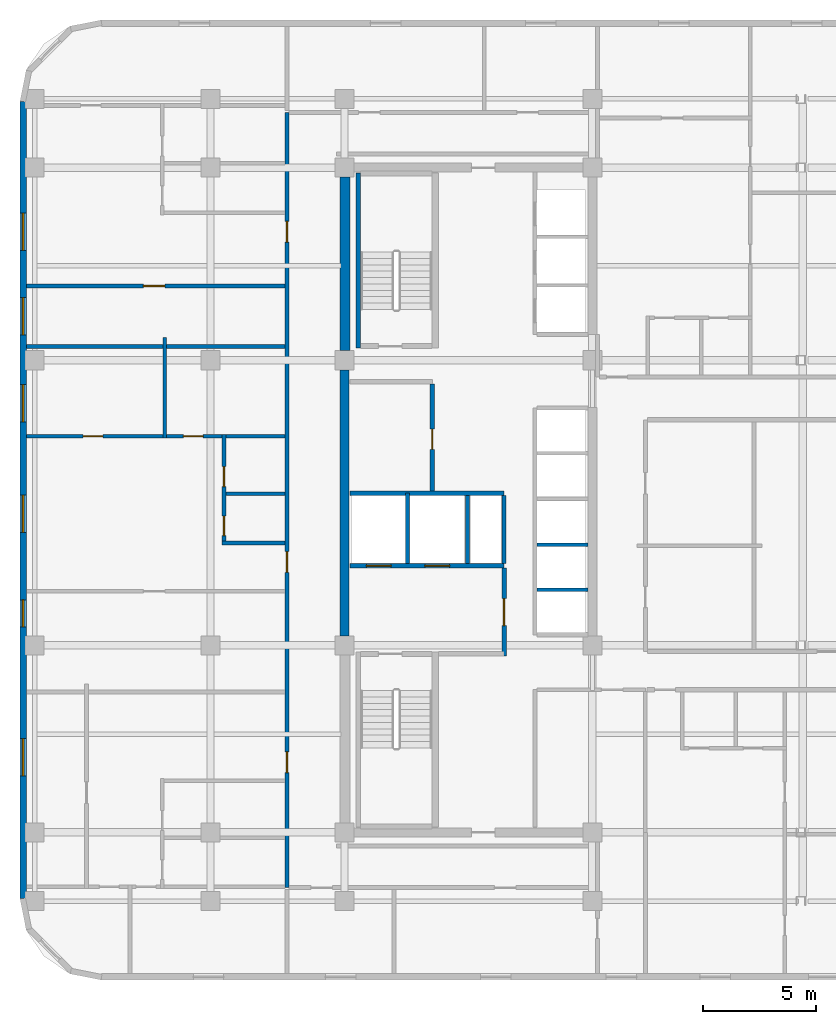
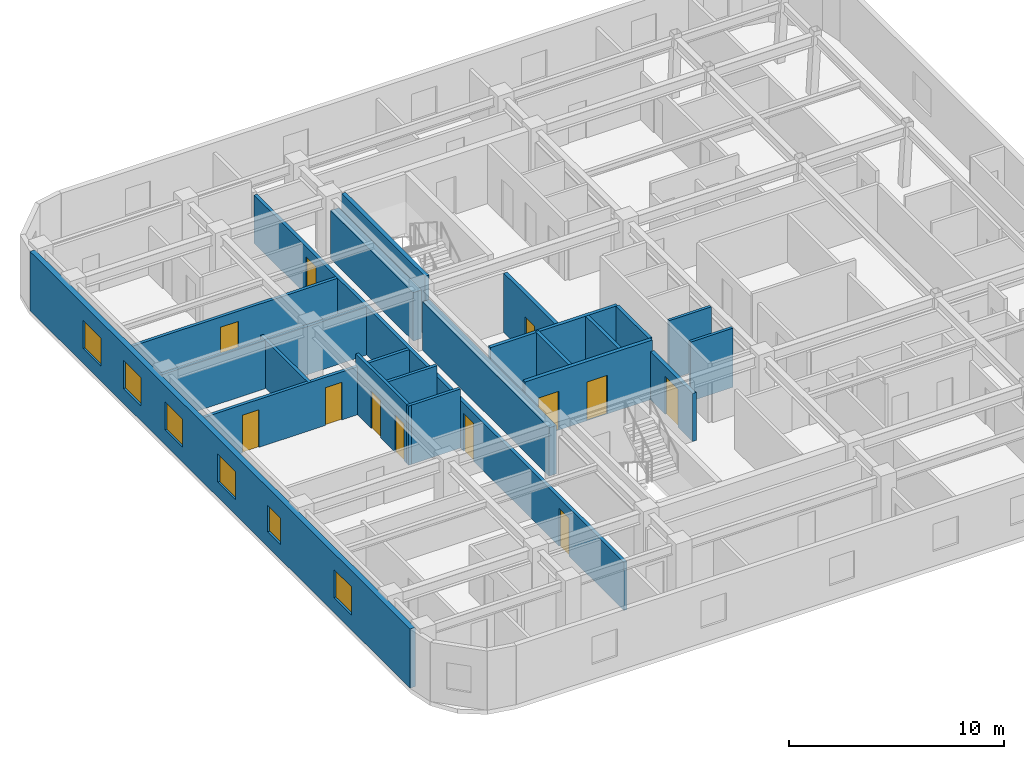
# One storey, part 4 of 8: 21 walls, 12 doors, 6 windows, 18 openings.
"""IFC4 building model written with IfcOpenShell, lengths in metres."""

from ifc_helpers import new_model, si_unit, direction, frame, frame_2d, origin, place, context, subcontext, project, spatial, rectangle, extrude, material, layer, layer_set, type_object, element, fill, save


model = new_model("IFC4")

# Units and contexts
model_context = context("Model", 3, precision=1e-05, world=origin(), true_north=direction((0.0, 1.0)))
body_context = subcontext(model_context, "Body", "Model", "MODEL_VIEW")
ifc_project = project(units=[si_unit("LENGTHUNIT", "METRE"), si_unit("AREAUNIT", "SQUARE_METRE"), si_unit("VOLUMEUNIT", "CUBIC_METRE"), si_unit("PLANEANGLEUNIT", "RADIAN"), si_unit("MASSUNIT", "GRAM", prefix="KILO")], contexts=[model_context])

# Site, building, storey
site_placement = place(None, origin())
site = spatial("IfcSite", under=ifc_project, at=site_placement, CompositionType="ELEMENT")
building_placement = place(site_placement, origin())
building = spatial("IfcBuilding", under=site, at=building_placement, Name="Ochreholt Gables", CompositionType="ELEMENT")
storey_placement = place(building_placement, frame((0.0, 0.0, 128.39990234375)))
storey = spatial("IfcBuildingStorey", under=building, at=storey_placement, Name="L33", CompositionType="ELEMENT", Elevation=128.39990234375)

# Walls
ifc_material_1 = material(Name="Concrete 60 MPa", Category="concrete")
ifc_layer_1 = layer(ifc_material_1, 0.39990234375, Name="Concrete 60 MPa")
ifc_layer_set_1 = layer_set([ifc_layer_1], Name="Concrete 60 MPa")
wall_type_1 = type_object("IfcWallType", Name="WALL-CSW-400", PredefinedType="SHEAR", material=ifc_layer_set_1)
wall_1_placement = place(storey_placement, frame((24.199951171875, 17.97509765625, 0.0), z_axis=(0.0, 0.0, 1.0), x_axis=(0.0, 1.0, 0.0)))
element("IfcWall", 1, at=wall_1_placement, inside=storey, type_object=wall_type_1, Name="L33 Core West Shear Wall WM", PredefinedType="SHEAR", context=body_context, shape_type="SweptSolid", body=[
    extrude(rectangle(XDim=11.7998046875, YDim=0.39990234375, at=frame_2d((5.89990234375, 0.0))), origin(), (0.0, 0.0, 1.0), 2.7490234375),
])
ifc_layer_2 = layer(ifc_material_1, 0.449951171875, Name="Concrete 60 MPa")
ifc_layer_set_2 = layer_set([ifc_layer_2], Name="Concrete 60 MPa")
wall_type_2 = type_object("IfcWallType", Name="WALL-CSW-450", PredefinedType="SHEAR", material=ifc_layer_set_2)
wall_2_placement = place(storey_placement, frame((24.22509765625, 30.625, 0.0), z_axis=(0.0, 0.0, 1.0), x_axis=(0.0, 1.0, 0.0)))
element("IfcWall", 2, at=wall_2_placement, inside=storey, type_object=wall_type_2, Name="L33 Core West Shear Wall WN", PredefinedType="SHEAR", context=body_context, shape_type="SweptSolid", body=[
    extrude(rectangle(XDim=7.699951171875, YDim=0.449951171875, at=frame_2d((3.85009765625, 0.0))), origin(), (0.0, 0.0, 1.0), 2.7490234375),
])

# Wall, openings, windows
ifc_material_2 = material(Name="Precast concrete 40 MPa", Category="concrete")
ifc_layer_3 = layer(ifc_material_2, 0.280029296875, Name="Precast concrete 40 MPa")
ifc_layer_set_3 = layer_set([ifc_layer_3], Name="Precast concrete 40 MPa")
wall_type_3 = type_object("IfcWallType", Name="WALL-EXT-280", PredefinedType="SOLIDWALL", material=ifc_layer_set_3)
wall_3_placement = place(storey_placement, frame((9.93994140625, 41.679931640625, 0.0), z_axis=(0.0, 0.0, 1.0), x_axis=(0.0, -1.0, 0.0)))
wall_3 = element("IfcWall", 3, at=wall_3_placement, inside=storey, type_object=wall_type_3, Name="L33 West Exterior Wall", PredefinedType="SOLIDWALL", context=body_context, shape_type="SweptSolid", body=[
    extrude(rectangle(XDim=35.35986328125, YDim=0.280029296875, at=frame_2d((17.679931640625, 0.0))), origin(), (0.0, 0.0, 1.0), 3.360107421875),
])
opening_1_placement = place(wall_3_placement, frame((28.27001953125, 0.0, 0.85009765625)))
opening_1 = element("IfcOpeningElement", 4, at=opening_1_placement, cuts=wall_3, Name="Opening WN-7", PredefinedType="OPENING", context=body_context, shape_type="SweptSolid", body=[
    extrude(rectangle(XDim=1.64990234375, YDim=1.60009765625, at=frame_2d((0.824951171875, 0.800048828125))), frame((0.0, 0.14990234375, 0.0), z_axis=(0.0, -1.0, 0.0), x_axis=(1.0, 0.0, 0.0)), (0.0, 0.0, 1.0), 0.300048828125),
])
opening_2_placement = place(wall_3_placement, frame((22.111572265625, 0.0, 0.85009765625)))
opening_2 = element("IfcOpeningElement", 5, at=opening_2_placement, cuts=wall_3, Name="Opening WN-3", PredefinedType="OPENING", context=body_context, shape_type="SweptSolid", body=[
    extrude(rectangle(XDim=1.199951171875, YDim=1.5, at=frame_2d((0.60009765625, 0.75))), frame((0.0, 0.14990234375, 0.0), z_axis=(0.0, -1.0, 0.0), x_axis=(1.0, 0.0, 0.0)), (0.0, 0.0, 1.0), 0.300048828125),
])
opening_3_placement = place(wall_3_placement, frame((17.46875, 0.0, 0.85009765625)))
opening_3 = element("IfcOpeningElement", 6, at=opening_3_placement, cuts=wall_3, Name="Opening WN-7", PredefinedType="OPENING", context=body_context, shape_type="SweptSolid", body=[
    extrude(rectangle(XDim=1.64990234375, YDim=1.60009765625, at=frame_2d((0.824951171875, 0.800048828125))), frame((0.0, 0.14990234375, 0.0), z_axis=(0.0, -1.0, 0.0), x_axis=(1.0, 0.0, 0.0)), (0.0, 0.0, 1.0), 0.300048828125),
])
opening_4_placement = place(wall_3_placement, frame((12.56201171875, 0.0, 0.85009765625)))
opening_4 = element("IfcOpeningElement", 7, at=opening_4_placement, cuts=wall_3, Name="Opening WN-7", PredefinedType="OPENING", context=body_context, shape_type="SweptSolid", body=[
    extrude(rectangle(XDim=1.64990234375, YDim=1.60009765625, at=frame_2d((0.824951171875, 0.800048828125))), frame((0.0, 0.14990234375, 0.0), z_axis=(0.0, -1.0, 0.0), x_axis=(1.0, 0.0, 0.0)), (0.0, 0.0, 1.0), 0.300048828125),
])
opening_5_placement = place(wall_3_placement, frame((8.697509765625, 0.0, 0.85009765625)))
opening_5 = element("IfcOpeningElement", 8, at=opening_5_placement, cuts=wall_3, Name="Opening WN-7", PredefinedType="OPENING", context=body_context, shape_type="SweptSolid", body=[
    extrude(rectangle(XDim=1.64990234375, YDim=1.60009765625, at=frame_2d((0.824951171875, 0.800048828125))), frame((0.0, 0.14990234375, 0.0), z_axis=(0.0, -1.0, 0.0), x_axis=(1.0, 0.0, 0.0)), (0.0, 0.0, 1.0), 0.300048828125),
])
opening_6_placement = place(wall_3_placement, frame((4.950439453125, 0.0, 0.85009765625)))
opening_6 = element("IfcOpeningElement", 9, at=opening_6_placement, cuts=wall_3, Name="Opening WN-7", PredefinedType="OPENING", context=body_context, shape_type="SweptSolid", body=[
    extrude(rectangle(XDim=1.64990234375, YDim=1.60009765625, at=frame_2d((0.824951171875, 0.800048828125))), frame((0.0, 0.14990234375, 0.0), z_axis=(0.0, -1.0, 0.0), x_axis=(1.0, 0.0, 0.0)), (0.0, 0.0, 1.0), 0.300048828125),
])
ifc_material_3 = material(Name="Triple-Glazed Thermally Broken Aluminium Window", Category="aluminium")
window_type_1 = type_object("IfcWindowType", Name="WIN-RES-1200", PartitioningType="SINGLE_PANEL", PredefinedType="WINDOW", material=ifc_material_3)
window_1_placement = place(opening_2_placement, origin())
window_1 = element("IfcWindow", 10, at=window_1_placement, inside=storey, type_object=window_type_1, Name="L33 Window W-EXT-W-L33-2", OverallHeight=1.5, OverallWidth=1.199951171875, PartitioningType="SINGLE_PANEL", PredefinedType="WINDOW", context=body_context, shape_type="SweptSolid", body=[
    extrude(rectangle(XDim=1.199951171875, YDim=1.5, at=frame_2d((0.60009765625, 0.75))), frame((0.0, 0.030029296875, 0.0), z_axis=(0.0, -1.0, 0.0), x_axis=(1.0, 0.0, 0.0)), (0.0, 0.0, 1.0), 0.06005859375),
])
fill(opening_2, window_1)
window_type_2 = type_object("IfcWindowType", Name="WIN-RES-1650", PartitioningType="SINGLE_PANEL", PredefinedType="WINDOW", material=ifc_material_3)
window_2_placement = place(opening_1_placement, origin())
window_2 = element("IfcWindow", 11, at=window_2_placement, inside=storey, type_object=window_type_2, Name="L33 Window W-EXT-W-L33-1", OverallHeight=1.60009765625, OverallWidth=1.64990234375, PartitioningType="SINGLE_PANEL", PredefinedType="WINDOW", context=body_context, shape_type="SweptSolid", body=[
    extrude(rectangle(XDim=1.64990234375, YDim=1.60009765625, at=frame_2d((0.824951171875, 0.800048828125))), frame((0.0, 0.030029296875, 0.0), z_axis=(0.0, -1.0, 0.0), x_axis=(1.0, 0.0, 0.0)), (0.0, 0.0, 1.0), 0.06005859375),
])
fill(opening_1, window_2)
window_3_placement = place(opening_3_placement, origin())
window_3 = element("IfcWindow", 12, at=window_3_placement, inside=storey, type_object=window_type_2, Name="L33 Window W-EXT-W-L33-3", OverallHeight=1.60009765625, OverallWidth=1.64990234375, PartitioningType="SINGLE_PANEL", PredefinedType="WINDOW", context=body_context, shape_type="SweptSolid", body=[
    extrude(rectangle(XDim=1.64990234375, YDim=1.60009765625, at=frame_2d((0.824951171875, 0.800048828125))), frame((0.0, 0.030029296875, 0.0), z_axis=(0.0, -1.0, 0.0), x_axis=(1.0, 0.0, 0.0)), (0.0, 0.0, 1.0), 0.06005859375),
])
fill(opening_3, window_3)
window_4_placement = place(opening_4_placement, origin())
window_4 = element("IfcWindow", 13, at=window_4_placement, inside=storey, type_object=window_type_2, Name="L33 Window W-EXT-W-L33-4", OverallHeight=1.60009765625, OverallWidth=1.64990234375, PartitioningType="SINGLE_PANEL", PredefinedType="WINDOW", context=body_context, shape_type="SweptSolid", body=[
    extrude(rectangle(XDim=1.64990234375, YDim=1.60009765625, at=frame_2d((0.824951171875, 0.800048828125))), frame((0.0, 0.030029296875, 0.0), z_axis=(0.0, -1.0, 0.0), x_axis=(1.0, 0.0, 0.0)), (0.0, 0.0, 1.0), 0.06005859375),
])
fill(opening_4, window_4)
window_5_placement = place(opening_5_placement, origin())
window_5 = element("IfcWindow", 14, at=window_5_placement, inside=storey, type_object=window_type_2, Name="L33 Window W-EXT-W-L33-5", OverallHeight=1.60009765625, OverallWidth=1.64990234375, PartitioningType="SINGLE_PANEL", PredefinedType="WINDOW", context=body_context, shape_type="SweptSolid", body=[
    extrude(rectangle(XDim=1.64990234375, YDim=1.60009765625, at=frame_2d((0.824951171875, 0.800048828125))), frame((0.0, 0.030029296875, 0.0), z_axis=(0.0, -1.0, 0.0), x_axis=(1.0, 0.0, 0.0)), (0.0, 0.0, 1.0), 0.06005859375),
])
fill(opening_5, window_5)
window_6_placement = place(opening_6_placement, origin())
window_6 = element("IfcWindow", 15, at=window_6_placement, inside=storey, type_object=window_type_2, Name="L33 Window W-EXT-W-L33-6", OverallHeight=1.60009765625, OverallWidth=1.64990234375, PartitioningType="SINGLE_PANEL", PredefinedType="WINDOW", context=body_context, shape_type="SweptSolid", body=[
    extrude(rectangle(XDim=1.64990234375, YDim=1.60009765625, at=frame_2d((0.824951171875, 0.800048828125))), frame((0.0, 0.030029296875, 0.0), z_axis=(0.0, -1.0, 0.0), x_axis=(1.0, 0.0, 0.0)), (0.0, 0.0, 1.0), 0.06005859375),
])
fill(opening_6, window_6)

# Wall, openings, doors
ifc_material_4 = material(Name="Concrete 40 MPa", Category="concrete")
ifc_layer_4 = layer(ifc_material_4, 0.199951171875, Name="Concrete 40 MPa")
ifc_layer_set_4 = layer_set([ifc_layer_4], Name="Concrete 40 MPa")
wall_type_4 = type_object("IfcWallType", Name="WALL-INT-CF200", PredefinedType="STANDARD", material=ifc_layer_set_4)
wall_4_placement = place(storey_placement, frame((24.449951171875, 21.090087890625, 0.0), z_axis=(0.0, 0.0, 1.0), x_axis=(1.0, 0.0, 0.0)))
wall_4 = element("IfcWall", 16, at=wall_4_placement, inside=storey, type_object=wall_type_4, Name="L33 Interior Wall WI-FFN-L33", PredefinedType="STANDARD", context=body_context, shape_type="SweptSolid", body=[
    extrude(rectangle(XDim=6.830078125, YDim=0.199951171875, at=frame_2d((3.4150390625, 0.0))), origin(), (0.0, 0.0, 1.0), 3.360107421875),
])
opening_7_placement = place(wall_4_placement, frame((0.719970703125, 0.0, 0.0)))
opening_7 = element("IfcOpeningElement", 17, at=opening_7_placement, cuts=wall_4, Name="Opening LD-FF", PredefinedType="OPENING", context=body_context, shape_type="SweptSolid", body=[
    extrude(rectangle(XDim=1.10009765625, YDim=2.199951171875, at=frame_2d((0.550048828125, 1.10009765625))), frame((0.0, 0.10986328125, 0.0), z_axis=(0.0, -1.0, 0.0), x_axis=(1.0, 0.0, 0.0)), (0.0, 0.0, 1.0), 0.219970703125),
])
opening_8_placement = place(wall_4_placement, frame((3.320068359375, 0.0, 0.0)))
opening_8 = element("IfcOpeningElement", 18, at=opening_8_placement, cuts=wall_4, Name="Opening LD-FF", PredefinedType="OPENING", context=body_context, shape_type="SweptSolid", body=[
    extrude(rectangle(XDim=1.10009765625, YDim=2.199951171875, at=frame_2d((0.550048828125, 1.10009765625))), frame((0.0, 0.10986328125, 0.0), z_axis=(0.0, -1.0, 0.0), x_axis=(1.0, 0.0, 0.0)), (0.0, 0.0, 1.0), 0.219970703125),
])
ifc_material_5 = material(Name="Stainless Steel", Category="steel")
door_type_1 = type_object("IfcDoorType", Name="DR-LFT-FF1100", OperationType="NOTDEFINED", PredefinedType="DOOR", material=ifc_material_5)
door_1_placement = place(opening_7_placement, origin())
door_1 = element("IfcDoor", 19, at=door_1_placement, inside=storey, type_object=door_type_1, Name="L33 Door LD-FF1-L33", OperationType="SLIDING_TO_LEFT", OverallHeight=2.199951171875, OverallWidth=1.10009765625, PredefinedType="DOOR", context=body_context, shape_type="SweptSolid", body=[
    extrude(rectangle(XDim=1.10009765625, YDim=2.199951171875, at=frame_2d((0.550048828125, 1.10009765625))), frame((0.0, 0.02490234375, 0.0), z_axis=(0.0, -1.0, 0.0), x_axis=(1.0, 0.0, 0.0)), (0.0, 0.0, 1.0), 0.050048828125),
])
fill(opening_7, door_1)
door_2_placement = place(opening_8_placement, origin())
door_2 = element("IfcDoor", 20, at=door_2_placement, inside=storey, type_object=door_type_1, Name="L33 Door LD-FF2-L33", OperationType="SLIDING_TO_LEFT", OverallHeight=2.199951171875, OverallWidth=1.10009765625, PredefinedType="DOOR", context=body_context, shape_type="SweptSolid", body=[
    extrude(rectangle(XDim=1.10009765625, YDim=2.199951171875, at=frame_2d((0.550048828125, 1.10009765625))), frame((0.0, 0.02490234375, 0.0), z_axis=(0.0, -1.0, 0.0), x_axis=(1.0, 0.0, 0.0)), (0.0, 0.0, 1.0), 0.050048828125),
])
fill(opening_8, door_2)

# Wall, opening, door
wall_5_placement = place(storey_placement, frame((31.280029296875, 17.070068359375, 0.0), z_axis=(0.0, 0.0, 1.0), x_axis=(0.0, 1.0, 0.0)))
wall_5 = element("IfcWall", 21, at=wall_5_placement, inside=storey, type_object=wall_type_4, Name="L33 Interior Wall WI-FFE-L33", PredefinedType="STANDARD", context=body_context, shape_type="SweptSolid", body=[
    extrude(rectangle(XDim=3.919921875, YDim=0.199951171875, at=frame_2d((1.9599609375, 0.0))), origin(), (0.0, 0.0, 1.0), 2.731201171875),
])
opening_9_placement = place(wall_5_placement, frame((1.35009765625, 0.0, 0.0)))
opening_9 = element("IfcOpeningElement", 22, at=opening_9_placement, cuts=wall_5, Name="Opening D-FFL", PredefinedType="OPENING", context=body_context, shape_type="SweptSolid", body=[
    extrude(rectangle(XDim=1.199951171875, YDim=2.14990234375, at=frame_2d((0.60009765625, 1.074951171875))), frame((0.0, 0.10986328125, 0.0), z_axis=(0.0, -1.0, 0.0), x_axis=(1.0, 0.0, 0.0)), (0.0, 0.0, 1.0), 0.219970703125),
])
ifc_material_6 = material(Name="Hollow Metal Steel", Category="steel")
door_type_2 = type_object("IfcDoorType", Name="DR-INT-FFL1200", OperationType="NOTDEFINED", PredefinedType="DOOR", material=ifc_material_6)
door_3_placement = place(opening_9_placement, origin())
door_3 = element("IfcDoor", 23, at=door_3_placement, inside=storey, type_object=door_type_2, Name="L33 Door D-FFL-L33", OperationType="SINGLE_SWING_LEFT", OverallHeight=2.14990234375, OverallWidth=1.199951171875, PredefinedType="DOOR", context=body_context, shape_type="SweptSolid", body=[
    extrude(rectangle(XDim=1.199951171875, YDim=2.14990234375, at=frame_2d((0.60009765625, 1.074951171875))), frame((0.0, 0.02490234375, 0.0), z_axis=(0.0, -1.0, 0.0), x_axis=(1.0, 0.0, 0.0)), (0.0, 0.0, 1.0), 0.050048828125),
])
fill(opening_9, door_3)

wall_6_placement = place(storey_placement, frame((28.10009765625, 24.389892578125, 0.0), z_axis=(0.0, 0.0, 1.0), x_axis=(0.0, 1.0, 0.0)))
wall_6 = element("IfcWall", 24, at=wall_6_placement, inside=storey, type_object=wall_type_4, Name="L33 Interior Wall WI-SRVE-L33", PredefinedType="STANDARD", context=body_context, shape_type="SweptSolid", body=[
    extrude(rectangle(XDim=4.75, YDim=0.199951171875, at=frame_2d((2.375, 0.0))), origin(), (0.0, 0.0, 1.0), 3.360107421875),
])
opening_10_placement = place(wall_6_placement, frame((1.860107421875, 0.0, 0.0)))
opening_10 = element("IfcOpeningElement", 25, at=opening_10_placement, cuts=wall_6, Name="Opening D-SV1", PredefinedType="OPENING", context=body_context, shape_type="SweptSolid", body=[
    extrude(rectangle(XDim=0.89990234375, YDim=2.10009765625, at=frame_2d((0.449951171875, 1.050048828125))), frame((0.0, 0.10986328125, 0.0), z_axis=(0.0, -1.0, 0.0), x_axis=(1.0, 0.0, 0.0)), (0.0, 0.0, 1.0), 0.219970703125),
])
door_type_3 = type_object("IfcDoorType", Name="DR-INT-SRV900", OperationType="NOTDEFINED", PredefinedType="DOOR", material=ifc_material_6)
door_4_placement = place(opening_10_placement, origin())
door_4 = element("IfcDoor", 26, at=door_4_placement, inside=storey, type_object=door_type_3, Name="L33 Door D-SRV1-L33", OperationType="SINGLE_SWING_LEFT", OverallHeight=2.10009765625, OverallWidth=0.89990234375, PredefinedType="DOOR", context=body_context, shape_type="SweptSolid", body=[
    extrude(rectangle(XDim=0.89990234375, YDim=2.10009765625, at=frame_2d((0.449951171875, 1.050048828125))), frame((0.0, 0.02490234375, 0.0), z_axis=(0.0, -1.0, 0.0), x_axis=(1.0, 0.0, 0.0)), (0.0, 0.0, 1.0), 0.050048828125),
])
fill(opening_10, door_4)

# Wall, openings, doors
ifc_material_7 = material(Name="Fire-Rated Gypsum Acoustic Partition", Category="gypsum")
ifc_layer_5 = layer(ifc_material_7, 0.179931640625, Name="Fire-Rated Gypsum Acoustic Partition")
ifc_layer_set_5 = layer_set([ifc_layer_5], Name="Fire-Rated Gypsum Acoustic Partition")
wall_type_5 = type_object("IfcWallType", Name="WALL-INT-CR180", PredefinedType="STANDARD", material=ifc_layer_set_5)
wall_7_placement = place(storey_placement, frame((21.64990234375, 6.800048828125, 0.0), z_axis=(0.0, 0.0, 1.0), x_axis=(0.0, 1.0, 0.0)))
wall_7 = element("IfcWall", 27, at=wall_7_placement, inside=storey, type_object=wall_type_5, Name="L33 Interior Wall WI-C2WCW-L33", PredefinedType="STANDARD", context=body_context, shape_type="SweptSolid", body=[
    extrude(rectangle(XDim=34.39990234375, YDim=0.179931640625, at=frame_2d((17.199951171875, 0.0))), origin(), (0.0, 0.0, 1.0), 2.731201171875),
])
opening_11_placement = place(wall_7_placement, frame((5.10693359375, 0.0, 0.0)))
opening_11 = element("IfcOpeningElement", 28, at=opening_11_placement, cuts=wall_7, Name="Opening D-UN1", PredefinedType="OPENING", context=body_context, shape_type="SweptSolid", body=[
    extrude(rectangle(XDim=0.919921875, YDim=2.14990234375, at=frame_2d((0.4599609375, 1.074951171875))), frame((0.0, 0.099853515625, 0.0), z_axis=(0.0, -1.0, 0.0), x_axis=(1.0, 0.0, 0.0)), (0.0, 0.0, 1.0), 0.199951171875),
])
opening_12_placement = place(wall_7_placement, frame((13.990478515625, 0.0, 0.0)))
opening_12 = element("IfcOpeningElement", 29, at=opening_12_placement, cuts=wall_7, Name="Opening D-UN1", PredefinedType="OPENING", context=body_context, shape_type="SweptSolid", body=[
    extrude(rectangle(XDim=0.919921875, YDim=2.14990234375, at=frame_2d((0.4599609375, 1.074951171875))), frame((0.0, 0.099853515625, 0.0), z_axis=(0.0, -1.0, 0.0), x_axis=(1.0, 0.0, 0.0)), (0.0, 0.0, 1.0), 0.199951171875),
])
opening_13_placement = place(wall_7_placement, frame((28.64599609375, 0.0, 0.0)))
opening_13 = element("IfcOpeningElement", 30, at=opening_13_placement, cuts=wall_7, Name="Opening D-UN1", PredefinedType="OPENING", context=body_context, shape_type="SweptSolid", body=[
    extrude(rectangle(XDim=0.919921875, YDim=2.14990234375, at=frame_2d((0.4599609375, 1.074951171875))), frame((0.0, 0.099853515625, 0.0), z_axis=(0.0, -1.0, 0.0), x_axis=(1.0, 0.0, 0.0)), (0.0, 0.0, 1.0), 0.199951171875),
])
ifc_material_8 = material(Name="Engineered Oak Timber", Category="wood")
door_type_4 = type_object("IfcDoorType", Name="DR-INT-UNT920", OperationType="NOTDEFINED", PredefinedType="DOOR", material=ifc_material_8)
door_5_placement = place(opening_11_placement, origin())
door_5 = element("IfcDoor", 31, at=door_5_placement, inside=storey, type_object=door_type_4, Name="L33 Door D-U-L33W1-ENT", OperationType="SINGLE_SWING_RIGHT", OverallHeight=2.14990234375, OverallWidth=0.919921875, PredefinedType="DOOR", context=body_context, shape_type="SweptSolid", body=[
    extrude(rectangle(XDim=0.919921875, YDim=2.14990234375, at=frame_2d((0.4599609375, 1.074951171875))), frame((0.0, 0.02490234375, 0.0), z_axis=(0.0, -1.0, 0.0), x_axis=(1.0, 0.0, 0.0)), (0.0, 0.0, 1.0), 0.050048828125),
])
fill(opening_11, door_5)
door_6_placement = place(opening_12_placement, origin())
door_6 = element("IfcDoor", 32, at=door_6_placement, inside=storey, type_object=door_type_4, Name="L33 Door D-U-L33W2-ENT", OperationType="SINGLE_SWING_LEFT", OverallHeight=2.14990234375, OverallWidth=0.919921875, PredefinedType="DOOR", context=body_context, shape_type="SweptSolid", body=[
    extrude(rectangle(XDim=0.919921875, YDim=2.14990234375, at=frame_2d((0.4599609375, 1.074951171875))), frame((0.0, 0.02490234375, 0.0), z_axis=(0.0, -1.0, 0.0), x_axis=(1.0, 0.0, 0.0)), (0.0, 0.0, 1.0), 0.050048828125),
])
fill(opening_12, door_6)
door_7_placement = place(opening_13_placement, origin())
door_7 = element("IfcDoor", 33, at=door_7_placement, inside=storey, type_object=door_type_4, Name="L33 Door D-U-L33W3-ENT", OperationType="SINGLE_SWING_RIGHT", OverallHeight=2.14990234375, OverallWidth=0.919921875, PredefinedType="DOOR", context=body_context, shape_type="SweptSolid", body=[
    extrude(rectangle(XDim=0.919921875, YDim=2.14990234375, at=frame_2d((0.4599609375, 1.074951171875))), frame((0.0, 0.02490234375, 0.0), z_axis=(0.0, -1.0, 0.0), x_axis=(1.0, 0.0, 0.0)), (0.0, 0.0, 1.0), 0.050048828125),
])
fill(opening_13, door_7)

# Walls
ifc_material_9 = material(Name="Double-Stud Acoustic Demising Wall", Category="gypsum")
ifc_layer_6 = layer(ifc_material_9, 0.179931640625, Name="Double-Stud Acoustic Demising Wall")
ifc_layer_set_6 = layer_set([ifc_layer_6], Name="Double-Stud Acoustic Demising Wall")
wall_type_6 = type_object("IfcWallType", Name="WALL-INT-DM180", PredefinedType="PARTITIONING", material=ifc_layer_set_6)
wall_8_placement = place(storey_placement, frame((10.080078125, 30.81591796875, 0.0), z_axis=(0.0, 0.0, 1.0), x_axis=(1.0, 0.0, 0.0)))
element("IfcWall", 34, at=wall_8_placement, inside=storey, type_object=wall_type_6, Name="L33 Interior Wall WI-C2UDW3-L33", PredefinedType="PARTITIONING", context=body_context, shape_type="SweptSolid", body=[
    extrude(rectangle(XDim=11.47998046875, YDim=0.179931640625, at=frame_2d((5.739990234375, 0.0))), origin(), (0.0, 0.0, 1.0), 2.731201171875),
])
ifc_material_10 = material(Name="Moisture-Resistant Plumbing Chase Wall", Category="gypsum")
ifc_layer_7 = layer(ifc_material_10, 0.159912109375, Name="Moisture-Resistant Plumbing Chase Wall")
ifc_layer_set_7 = layer_set([ifc_layer_7], Name="Moisture-Resistant Plumbing Chase Wall")
wall_type_7 = type_object("IfcWallType", Name="WALL-INT-PL160", PredefinedType="PLUMBINGWALL", material=ifc_layer_set_7)
wall_9_placement = place(storey_placement, frame((18.77197265625, 22.090576171875, 0.0), z_axis=(0.0, 0.0, 1.0), x_axis=(1.0, 0.0, 0.0)))
element("IfcWall", 35, at=wall_9_placement, inside=storey, type_object=wall_type_7, Name="L33 Interior Wall WU-L33W2-FYS", PredefinedType="PLUMBINGWALL", context=body_context, shape_type="SweptSolid", body=[
    extrude(rectangle(XDim=2.7880859375, YDim=0.159912109375, at=frame_2d((1.39404296875, 0.0))), origin(), (0.0, 0.0, 1.0), 3.360107421875),
])

# Wall, openings, doors
wall_10_placement = place(storey_placement, frame((18.85205078125, 22.00048828125, 0.0), z_axis=(0.0, 0.0, 1.0), x_axis=(0.0, 1.0, 0.0)))
wall_10 = element("IfcWall", 36, at=wall_10_placement, inside=storey, type_object=wall_type_7, Name="L33 Interior Wall WU-L33W2-WX", PredefinedType="PLUMBINGWALL", context=body_context, shape_type="SweptSolid", body=[
    extrude(rectangle(XDim=4.91552734375, YDim=0.159912109375, at=frame_2d((2.457763671875, 0.0))), origin(), (0.0, 0.0, 1.0), 3.360107421875),
])
opening_14_placement = place(wall_10_placement, frame((0.419921875, 0.0, 0.0)))
opening_14 = element("IfcOpeningElement", 37, at=opening_14_placement, cuts=wall_10, Name="Opening D-BT1", PredefinedType="OPENING", context=body_context, shape_type="SweptSolid", body=[
    extrude(rectangle(XDim=0.860107421875, YDim=2.1201171875, at=frame_2d((0.43017578125, 1.06005859375))), frame((0.0, 0.08984375, 0.0), z_axis=(0.0, -1.0, 0.0), x_axis=(1.0, 0.0, 0.0)), (0.0, 0.0, 1.0), 0.179931640625),
])
opening_15_placement = place(wall_10_placement, frame((2.598388671875, 0.0, 0.0)))
opening_15 = element("IfcOpeningElement", 38, at=opening_15_placement, cuts=wall_10, Name="Opening D-GN2", PredefinedType="OPENING", context=body_context, shape_type="SweptSolid", body=[
    extrude(rectangle(XDim=0.8798828125, YDim=2.1201171875, at=frame_2d((0.43994140625, 1.06005859375))), frame((0.0, 0.08984375, 0.0), z_axis=(0.0, -1.0, 0.0), x_axis=(1.0, 0.0, 0.0)), (0.0, 0.0, 1.0), 0.179931640625),
])
door_type_5 = type_object("IfcDoorType", Name="DR-INT-BTH860", OperationType="NOTDEFINED", PredefinedType="DOOR", material=ifc_material_8)
door_8_placement = place(opening_14_placement, origin())
door_8 = element("IfcDoor", 39, at=door_8_placement, inside=storey, type_object=door_type_5, Name="L33 Door D-U-L33W2-BTH", OperationType="SINGLE_SWING_RIGHT", OverallHeight=2.1201171875, OverallWidth=0.860107421875, PredefinedType="DOOR", context=body_context, shape_type="SweptSolid", body=[
    extrude(rectangle(XDim=0.860107421875, YDim=2.1201171875, at=frame_2d((0.43017578125, 1.06005859375))), frame((0.0, 0.02490234375, 0.0), z_axis=(0.0, -1.0, 0.0), x_axis=(1.0, 0.0, 0.0)), (0.0, 0.0, 1.0), 0.050048828125),
])
fill(opening_14, door_8)
door_type_6 = type_object("IfcDoorType", Name="DR-INT-GEN880", OperationType="NOTDEFINED", PredefinedType="DOOR", material=ifc_material_8)
door_9_placement = place(opening_15_placement, origin())
door_9 = element("IfcDoor", 40, at=door_9_placement, inside=storey, type_object=door_type_6, Name="L33 Door D-U-L33W2-KIT", OperationType="SINGLE_SWING_LEFT", OverallHeight=2.1201171875, OverallWidth=0.8798828125, PredefinedType="DOOR", context=body_context, shape_type="SweptSolid", body=[
    extrude(rectangle(XDim=0.8798828125, YDim=2.1201171875, at=frame_2d((0.43994140625, 1.06005859375))), frame((0.0, 0.02490234375, 0.0), z_axis=(0.0, -1.0, 0.0), x_axis=(1.0, 0.0, 0.0)), (0.0, 0.0, 1.0), 0.050048828125),
])
fill(opening_15, door_9)

# Wall
wall_11_placement = place(storey_placement, frame((18.931884765625, 24.268798828125, 0.0), z_axis=(0.0, 0.0, 1.0), x_axis=(1.0, 0.0, 0.0)))
element("IfcWall", 41, at=wall_11_placement, inside=storey, type_object=wall_type_7, Name="L33 Interior Wall WU-L33W2-WK", PredefinedType="PLUMBINGWALL", context=body_context, shape_type="SweptSolid", body=[
    extrude(rectangle(XDim=2.628173828125, YDim=0.159912109375, at=frame_2d((1.31396484375, 0.0))), origin(), (0.0, 0.0, 1.0), 3.360107421875),
])

# Wall, openings, doors
ifc_material_11 = material(Name="Gypsum Acoustic Stud Partition", Category="gypsum")
ifc_layer_8 = layer(ifc_material_11, 0.1650390625, Name="Gypsum Acoustic Stud Partition")
ifc_layer_set_8 = layer_set([ifc_layer_8], Name="Gypsum Acoustic Stud Partition")
wall_type_8 = type_object("IfcWallType", Name="WALL-INT-PT165", PredefinedType="PARTITIONING", material=ifc_layer_set_8)
wall_12_placement = place(storey_placement, frame((10.080078125, 26.825927734375, 0.0), z_axis=(0.0, 0.0, 1.0), x_axis=(1.0, 0.0, 0.0)))
wall_12 = element("IfcWall", 42, at=wall_12_placement, inside=storey, type_object=wall_type_8, Name="L33 Interior Wall WU-L33W2-MN", PredefinedType="PARTITIONING", context=body_context, shape_type="SweptSolid", body=[
    extrude(rectangle(XDim=11.47998046875, YDim=0.1650390625, at=frame_2d((5.739990234375, 0.0))), origin(), (0.0, 0.0, 1.0), 2.731201171875),
])
opening_16_placement = place(wall_12_placement, frame((2.519775390625, 0.0, 0.0)))
opening_16 = element("IfcOpeningElement", 43, at=opening_16_placement, cuts=wall_12, Name="Opening D-BD2", PredefinedType="OPENING", context=body_context, shape_type="SweptSolid", body=[
    extrude(rectangle(XDim=0.8798828125, YDim=2.139892578125, at=frame_2d((0.43994140625, 1.06982421875))), frame((0.0, 0.092529296875, 0.0), z_axis=(0.0, -1.0, 0.0), x_axis=(1.0, 0.0, 0.0)), (0.0, 0.0, 1.0), 0.18505859375),
])
opening_17_placement = place(wall_12_placement, frame((6.970703125, 0.0, 0.0)))
opening_17 = element("IfcOpeningElement", 44, at=opening_17_placement, cuts=wall_12, Name="Opening D-BD2", PredefinedType="OPENING", context=body_context, shape_type="SweptSolid", body=[
    extrude(rectangle(XDim=0.8798828125, YDim=2.139892578125, at=frame_2d((0.43994140625, 1.06982421875))), frame((0.0, 0.092529296875, 0.0), z_axis=(0.0, -1.0, 0.0), x_axis=(1.0, 0.0, 0.0)), (0.0, 0.0, 1.0), 0.18505859375),
])
door_type_7 = type_object("IfcDoorType", Name="DR-INT-BED880", OperationType="NOTDEFINED", PredefinedType="DOOR", material=ifc_material_8)
door_10_placement = place(opening_16_placement, origin())
door_10 = element("IfcDoor", 45, at=door_10_placement, inside=storey, type_object=door_type_7, Name="L33 Door D-U-L33W2-BD1", OperationType="SINGLE_SWING_LEFT", OverallHeight=2.139892578125, OverallWidth=0.8798828125, PredefinedType="DOOR", context=body_context, shape_type="SweptSolid", body=[
    extrude(rectangle(XDim=0.8798828125, YDim=2.139892578125, at=frame_2d((0.43994140625, 1.06982421875))), frame((0.0, 0.02490234375, 0.0), z_axis=(0.0, -1.0, 0.0), x_axis=(1.0, 0.0, 0.0)), (0.0, 0.0, 1.0), 0.050048828125),
])
fill(opening_16, door_10)
door_11_placement = place(opening_17_placement, origin())
door_11 = element("IfcDoor", 46, at=door_11_placement, inside=storey, type_object=door_type_7, Name="L33 Door D-U-L33W2-BD2", OperationType="SINGLE_SWING_RIGHT", OverallHeight=2.139892578125, OverallWidth=0.8798828125, PredefinedType="DOOR", context=body_context, shape_type="SweptSolid", body=[
    extrude(rectangle(XDim=0.8798828125, YDim=2.139892578125, at=frame_2d((0.43994140625, 1.06982421875))), frame((0.0, 0.02490234375, 0.0), z_axis=(0.0, -1.0, 0.0), x_axis=(1.0, 0.0, 0.0)), (0.0, 0.0, 1.0), 0.050048828125),
])
fill(opening_17, door_11)

# Wall
wall_13_placement = place(storey_placement, frame((16.219482421875, 26.74609375, 0.0), z_axis=(0.0, 0.0, 1.0), x_axis=(0.0, 1.0, 0.0)))
element("IfcWall", 47, at=wall_13_placement, inside=storey, type_object=wall_type_8, Name="L33 Interior Wall WU-L33W2-BSD", PredefinedType="PARTITIONING", context=body_context, shape_type="SweptSolid", body=[
    extrude(rectangle(XDim=4.4599609375, YDim=0.1650390625, at=frame_2d((2.22998046875, 0.0))), origin(), (0.0, 0.0, 1.0), 2.731201171875),
])

# Wall, opening, door
wall_14_placement = place(storey_placement, frame((10.080078125, 33.498779296875, 0.0), z_axis=(0.0, 0.0, 1.0), x_axis=(1.0, 0.0, 0.0)))
wall_14 = element("IfcWall", 48, at=wall_14_placement, inside=storey, type_object=wall_type_8, Name="L33 Interior Wall WU-L33W3-DNW", PredefinedType="PARTITIONING", context=body_context, shape_type="SweptSolid", body=[
    extrude(rectangle(XDim=11.47998046875, YDim=0.1650390625, at=frame_2d((5.739990234375, 0.0))), origin(), (0.0, 0.0, 1.0), 2.731201171875),
])
opening_18_placement = place(wall_14_placement, frame((5.195068359375, 0.0, 0.0)))
opening_18 = element("IfcOpeningElement", 49, at=opening_18_placement, cuts=wall_14, Name="Opening D-GN1", PredefinedType="OPENING", context=body_context, shape_type="SweptSolid", body=[
    extrude(rectangle(XDim=0.949951171875, YDim=2.14990234375, at=frame_2d((0.47509765625, 1.074951171875))), frame((0.0, 0.092529296875, 0.0), z_axis=(0.0, -1.0, 0.0), x_axis=(1.0, 0.0, 0.0)), (0.0, 0.0, 1.0), 0.18505859375),
])
door_type_8 = type_object("IfcDoorType", Name="DR-INT-GEN950", OperationType="NOTDEFINED", PredefinedType="DOOR", material=ifc_material_8)
door_12_placement = place(opening_18_placement, origin())
door_12 = element("IfcDoor", 50, at=door_12_placement, inside=storey, type_object=door_type_8, Name="L33 Door D-U-L33W3-DIN", OperationType="SINGLE_SWING_LEFT", OverallHeight=2.14990234375, OverallWidth=0.949951171875, PredefinedType="DOOR", context=body_context, shape_type="SweptSolid", body=[
    extrude(rectangle(XDim=0.949951171875, YDim=2.14990234375, at=frame_2d((0.47509765625, 1.074951171875))), frame((0.0, 0.02490234375, 0.0), z_axis=(0.0, -1.0, 0.0), x_axis=(1.0, 0.0, 0.0)), (0.0, 0.0, 1.0), 0.050048828125),
])
fill(opening_18, door_12)

# Walls
ifc_material_12 = material(Name="Gypsum Shaftliner and Steel Stud", Category="steel")
ifc_layer_9 = layer(ifc_material_12, 0.14990234375, Name="Gypsum Shaftliner and Steel Stud")
ifc_layer_set_9 = layer_set([ifc_layer_9], Name="Gypsum Shaftliner and Steel Stud")
wall_type_9 = type_object("IfcWallType", Name="WALL-INT-SH150", PredefinedType="STANDARD", material=ifc_layer_set_9)
for number, where, z_axis, x_axis, name in (
    (51, (32.739990234375, 20.02001953125, 0.0), (0.0, 0.0, 1.0), (1.0, 0.0, 0.0), "L33 Interior Wall WI-LFHE-DH1-L33"),
    (52, (32.739990234375, 22.02001953125, 0.0), (0.0, 0.0, 1.0), (1.0, 0.0, 0.0), "L33 Interior Wall WI-LFHE-DH2-L33"),
):
    element("IfcWall", number, at=place(storey_placement, frame(where, z_axis=z_axis, x_axis=x_axis)), inside=storey, type_object=wall_type_9, Name=name, PredefinedType="STANDARD", context=body_context, shape_type="SweptSolid", body=[
        extrude(rectangle(XDim=2.260009765625, YDim=0.14990234375, at=frame_2d((1.1298828125, 0.0))), origin(), (0.0, 0.0, 1.0), 3.360107421875),
    ])
ifc_layer_10 = layer(ifc_material_12, 0.179931640625, Name="Gypsum Shaftliner and Steel Stud")
ifc_layer_set_10 = layer_set([ifc_layer_10], Name="Gypsum Shaftliner and Steel Stud")
wall_type_10 = type_object("IfcWallType", Name="WALL-INT-SH180", PredefinedType="STANDARD", material=ifc_layer_set_10)
wall_15_placement = place(storey_placement, frame((27.0, 21.18994140625, 0.0), z_axis=(0.0, 0.0, 1.0), x_axis=(0.0, 1.0, 0.0)))
element("IfcWall", 53, at=wall_15_placement, inside=storey, type_object=wall_type_10, Name="L33 Interior Wall WI-FFDIV-L33", PredefinedType="STANDARD", context=body_context, shape_type="SweptSolid", body=[
    extrude(rectangle(XDim=3.110107421875, YDim=0.179931640625, at=frame_2d((1.55517578125, 0.0))), origin(), (0.0, 0.0, 1.0), 3.360107421875),
])
wall_16_placement = place(storey_placement, frame((24.449951171875, 24.300048828125, 0.0), z_axis=(0.0, 0.0, 1.0), x_axis=(1.0, 0.0, 0.0)))
element("IfcWall", 54, at=wall_16_placement, inside=storey, type_object=wall_type_10, Name="L33 Interior Wall WI-FFBK-L33", PredefinedType="STANDARD", context=body_context, shape_type="SweptSolid", body=[
    extrude(rectangle(XDim=6.830078125, YDim=0.179931640625, at=frame_2d((3.4150390625, 0.0))), origin(), (0.0, 0.0, 1.0), 3.360107421875),
])
for number, where, z_axis, x_axis, name in (
    (55, (29.64990234375, 21.18994140625, 0.0), (0.0, 0.0, 1.0), (0.0, 1.0, 0.0), "L33 Interior Wall WI-FFSH-L33"),
    (56, (31.280029296875, 21.18994140625, 0.0), (0.0, 0.0, 1.0), (0.0, 1.0, 0.0), "L33 Interior Wall WI-RSE-L33"),
):
    element("IfcWall", number, at=place(storey_placement, frame(where, z_axis=z_axis, x_axis=x_axis)), inside=storey, type_object=wall_type_10, Name=name, PredefinedType="STANDARD", context=body_context, shape_type="SweptSolid", body=[
        extrude(rectangle(XDim=3.02001953125, YDim=0.179931640625, at=frame_2d((1.510009765625, 0.0))), origin(), (0.0, 0.0, 1.0), 3.360107421875),
    ])
ifc_material_13 = material(Name="Concrete 50 MPa", Category="concrete")
ifc_layer_11 = layer(ifc_material_13, 0.219970703125, Name="Concrete 50 MPa")
ifc_layer_set_11 = layer_set([ifc_layer_11], Name="Concrete 50 MPa")
wall_type_11 = type_object("IfcWallType", Name="WALL-STW-220", PredefinedType="SHEAR", material=ifc_layer_set_11)
wall_17_placement = place(storey_placement, frame((24.81005859375, 30.739990234375, 0.0), z_axis=(0.0, 0.0, 1.0), x_axis=(0.0, 1.0, 0.0)))
element("IfcWall", 57, at=wall_17_placement, inside=storey, type_object=wall_type_11, Name="L33 Exit Stair 2 West Wall", PredefinedType="SHEAR", context=body_context, shape_type="SweptSolid", body=[
    extrude(rectangle(XDim=7.760009765625, YDim=0.219970703125, at=frame_2d((3.8798828125, 0.0))), origin(), (0.0, 0.0, 1.0), 3.360107421875),
])

save(model, "model.ifc")
